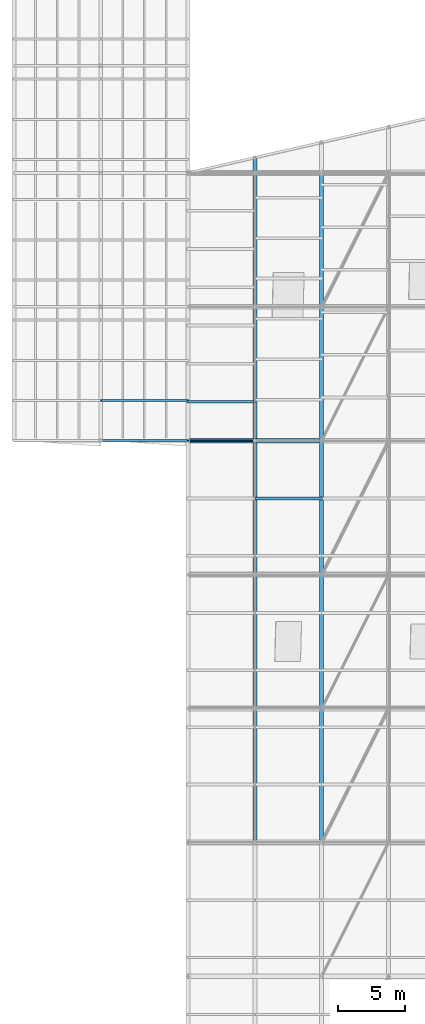
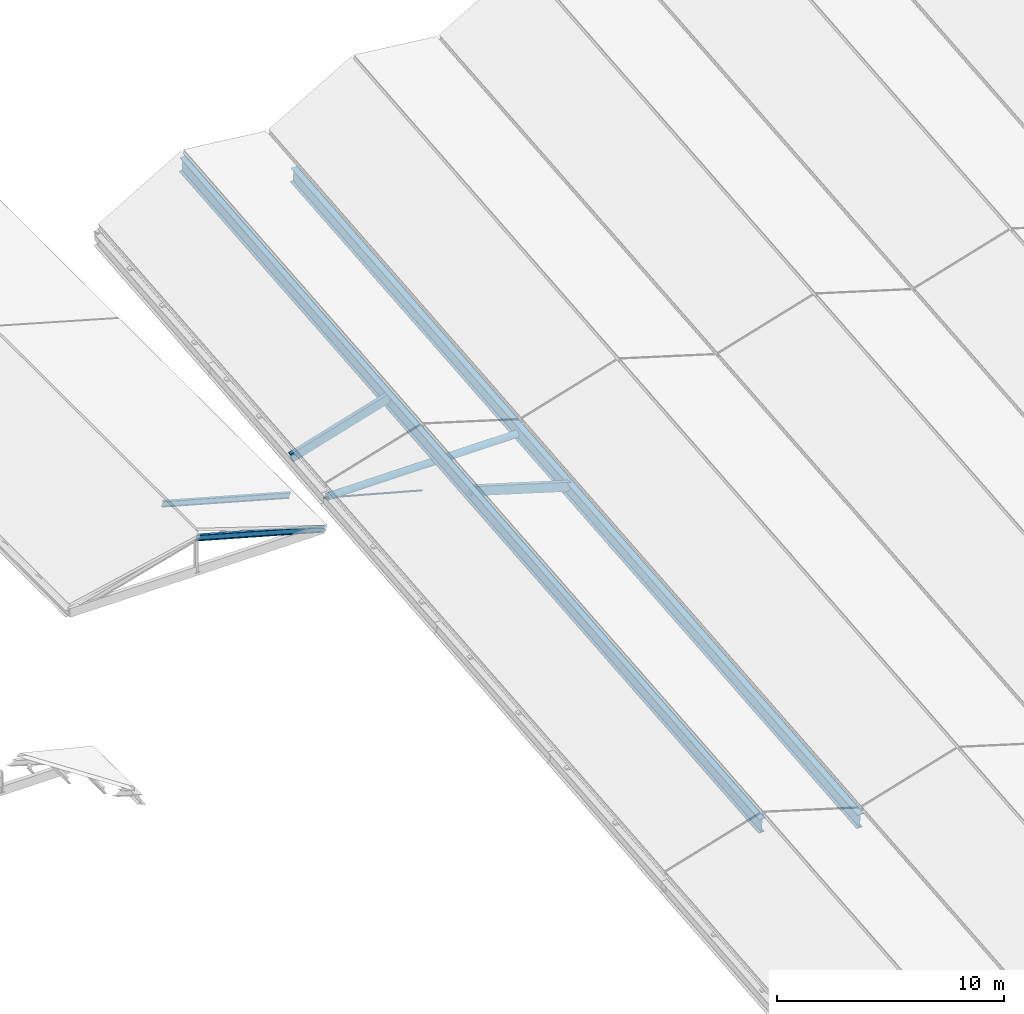
# One storey, part 11 of 90: 5 members, 3 beams.
"""IFC4 building model written with IfcOpenShell, lengths in metres."""

from ifc_helpers import new_model, si_unit, direction, frame, origin, origin_2d, place, context, subcontext, project, spatial, rectangle, circle, hollow_circle, i_section, extrude, material, material_profile, profile_set, type_object, element, save


model = new_model("IFC4")

# Units and contexts
model_context = context("Model", 3, precision=1e-05, world=origin(), true_north=direction((0.0, 1.0)))
body_context = subcontext(model_context, "Body", "Model", "MODEL_VIEW")
ifc_project = project(units=[si_unit("LENGTHUNIT", "METRE"), si_unit("AREAUNIT", "SQUARE_METRE"), si_unit("VOLUMEUNIT", "CUBIC_METRE"), si_unit("PLANEANGLEUNIT", "RADIAN"), si_unit("MASSUNIT", "GRAM", prefix="KILO"), si_unit("THERMODYNAMICTEMPERATUREUNIT", "KELVIN"), si_unit("POWERUNIT", "WATT")], contexts=[model_context])

# Site, building, storey
site_placement = place(None, origin())
site = spatial("IfcSite", under=ifc_project, at=site_placement, CompositionType="ELEMENT")
building_placement = place(site_placement, origin())
building = spatial("IfcBuilding", under=site, at=building_placement, Name="Korenveer Ferry Terminal", CompositionType="ELEMENT")
storey_placement = place(building_placement, frame((0.0, 0.0, 22.199951171875)))
storey = spatial("IfcBuildingStorey", under=building, at=storey_placement, Name="RF", CompositionType="ELEMENT", Elevation=22.199951171875)

# Beams
ifc_material_1 = material(Name="Steel S355", Category="steel")
ifc_material_profile_1 = material_profile(ifc_material_1, i_section(OverallWidth=0.300048828125, OverallDepth=0.800048828125, WebThickness=0.017578125, FlangeThickness=0.032958984375, FilletRadius=0.030029296875, at=origin_2d()), Name="HEB 800")
ifc_profile_set_1 = profile_set([ifc_material_profile_1], Name="Steel S355")
beam_type_1 = type_object("IfcBeamType", Name="STR-BM-HEB800", PredefinedType="BEAM", material=ifc_profile_set_1)
beam_1_placement = place(storey_placement, frame((58.0, 50.0, -7.16796875), z_axis=(0.0, 0.995902942801, 0.090428582425), x_axis=(-1.0, 0.0, 0.0)))
element("IfcBeam", 1, at=beam_1_placement, inside=storey, type_object=beam_type_1, Name="Folded roof ridge girder 2", PredefinedType="BEAM", context=body_context, shape_type="SweptSolid", body=[
    extrude(i_section(OverallWidth=0.300048828125, OverallDepth=0.800048828125, WebThickness=0.017578125, FlangeThickness=0.032958984375, FilletRadius=0.030029296875, at=origin_2d()), origin(), (0.0, 0.0, 1.0), 51.353271484375),
])
beam_2_placement = place(storey_placement, frame((63.0, 50.0, -8.677734375), z_axis=(0.0, 0.995902926336, 0.09042876376), x_axis=(-1.0, 0.0, 0.0)))
element("IfcBeam", 2, at=beam_2_placement, inside=storey, type_object=beam_type_1, Name="Folded roof valley girder 26", PredefinedType="BEAM", context=body_context, shape_type="SweptSolid", body=[
    extrude(i_section(OverallWidth=0.300048828125, OverallDepth=0.800048828125, WebThickness=0.017578125, FlangeThickness=0.032958984375, FilletRadius=0.030029296875, at=origin_2d()), origin(), (0.0, 0.0, 1.0), 50.205810546875),
])

# Members
ifc_material_2 = material(Name="High-strength steel S460", Category="steel")
ifc_material_profile_2 = material_profile(ifc_material_2, circle(Radius=0.044921875, at=origin_2d()), Name="ROD D90")
ifc_profile_set_2 = profile_set([ifc_material_profile_2], Name="High-strength steel S460")
member_type_1 = type_object("IfcMemberType", Name="STR-CBL-D90", PredefinedType="USERDEFINED", material=ifc_profile_set_2)
member_placement = place(storey_placement, frame((53.0, 80.0, -5.95361328125), z_axis=(0.965424337217, 0.0, -0.260683426993), x_axis=(0.0, 1.0, 0.0)))
element("IfcMember", 3, at=member_placement, inside=storey, type_object=member_type_1, Name="Roof tension tie cable 57", ObjectType="CABLE", PredefinedType="USERDEFINED", context=body_context, shape_type="SweptSolid", body=[
    extrude(circle(Radius=0.044921875, at=origin_2d()), origin(), (0.0, 0.0, 1.0), 5.178955078125),
])
ifc_material_3 = material(Name="Glulam GL28h", Category="wood")
ifc_material_profile_3 = material_profile(ifc_material_3, rectangle(XDim=0.199951171875, YDim=0.47998046875, at=origin_2d()), Name="GL 200x480")
ifc_profile_set_3 = profile_set([ifc_material_profile_3], Name="Glulam GL28h")
member_type_2 = type_object("IfcMemberType", Name="STR-PUR-GL200", PredefinedType="PURLIN", material=ifc_profile_set_3)
for number, where, z_axis, x_axis, name in (
    (4, (58.0, 75.678466796875, -4.677978515625), (0.957310140112, 0.0, -0.289062788401), (0.0, 1.0, 0.0), "Folded roof glulam purlin 24"),
    (5, (53.0, 82.902587890625, -5.53173828125), (0.957310140112, 0.0, 0.289062788401), (0.0, 1.0, 0.0), "Folded roof glulam purlin 25"),
):
    element("IfcMember", number, at=place(storey_placement, frame(where, z_axis=z_axis, x_axis=x_axis)), inside=storey, type_object=member_type_2, Name=name, PredefinedType="PURLIN", context=body_context, shape_type="SweptSolid", body=[
        extrude(rectangle(XDim=0.199951171875, YDim=0.47998046875, at=origin_2d()), origin(), (0.0, 0.0, 1.0), 5.222900390625),
    ])
ifc_material_profile_4 = material_profile(ifc_material_1, i_section(OverallWidth=0.14990234375, OverallDepth=0.300048828125, WebThickness=0.007080078125, FlangeThickness=0.0107421875, FilletRadius=0.014892578125, at=origin_2d()), Name="IPE 300")
ifc_profile_set_4 = profile_set([ifc_material_profile_4], Name="Steel S355")
member_type_3 = type_object("IfcMemberType", Name="STR-RAF-IPE300", PredefinedType="RAFTER", material=ifc_profile_set_4)
for number, where, z_axis, x_axis, name in (
    (6, (46.5, 80.0, -5.820068359375), (0.963737469599, 0.0, -0.26685218697), (0.0, 1.0, 0.0), "Pitched roof rafter 130"),
    (7, (46.5, 83.0, -5.820068359375), (0.963737469599, 0.0, -0.26685218697), (0.0, 1.0, 0.0), "Pitched roof rafter 132"),
):
    element("IfcMember", number, at=place(storey_placement, frame(where, z_axis=z_axis, x_axis=x_axis)), inside=storey, type_object=member_type_3, Name=name, PredefinedType="RAFTER", context=body_context, shape_type="SweptSolid", body=[
        extrude(i_section(OverallWidth=0.14990234375, OverallDepth=0.300048828125, WebThickness=0.007080078125, FlangeThickness=0.0107421875, FilletRadius=0.014892578125, at=origin_2d()), origin(), (0.0, 0.0, 1.0), 6.74462890625),
    ])

# Beam
ifc_material_profile_5 = material_profile(ifc_material_1, hollow_circle(Radius=0.177734375, WallThickness=0.01611328125, at=origin_2d()), Name="CHS 355.6x16")
ifc_profile_set_5 = profile_set([ifc_material_profile_5], Name="Steel S355")
beam_type_2 = type_object("IfcBeamType", Name="STR-RFG-CHS355", PredefinedType="USERDEFINED", material=ifc_profile_set_5)
beam_3_placement = place(storey_placement, frame((53.159912109375, 80.0, -5.95361328125), z_axis=(1.0, 0.0, 0.0), x_axis=(0.0, 1.0, 0.0)))
element("IfcBeam", 8, at=beam_3_placement, inside=storey, type_object=beam_type_2, Name="Roof transverse tie girder 117", ObjectType="ROOF GIRDER", PredefinedType="USERDEFINED", context=body_context, shape_type="SweptSolid", body=[
    extrude(hollow_circle(Radius=0.177734375, WallThickness=0.01611328125, at=origin_2d()), origin(), (0.0, 0.0, 1.0), 9.68017578125),
])

save(model, "model.ifc")
